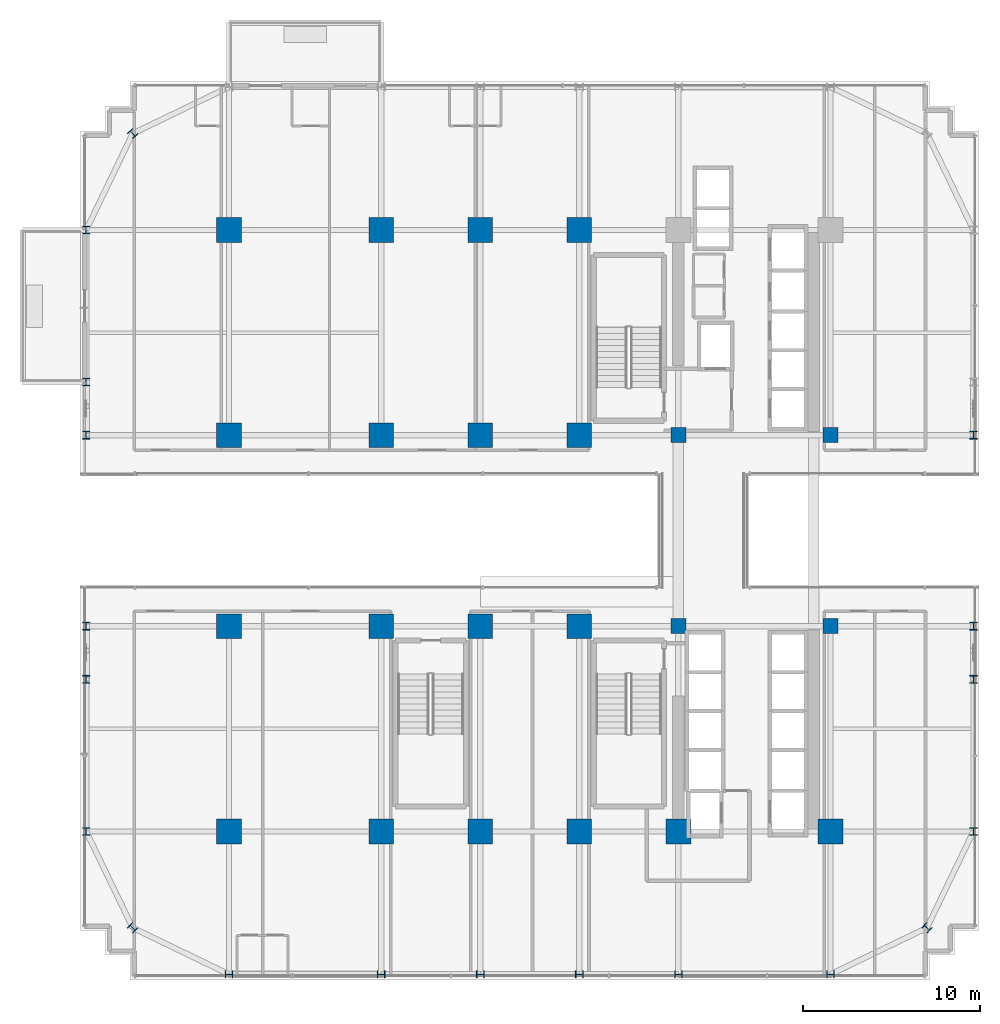
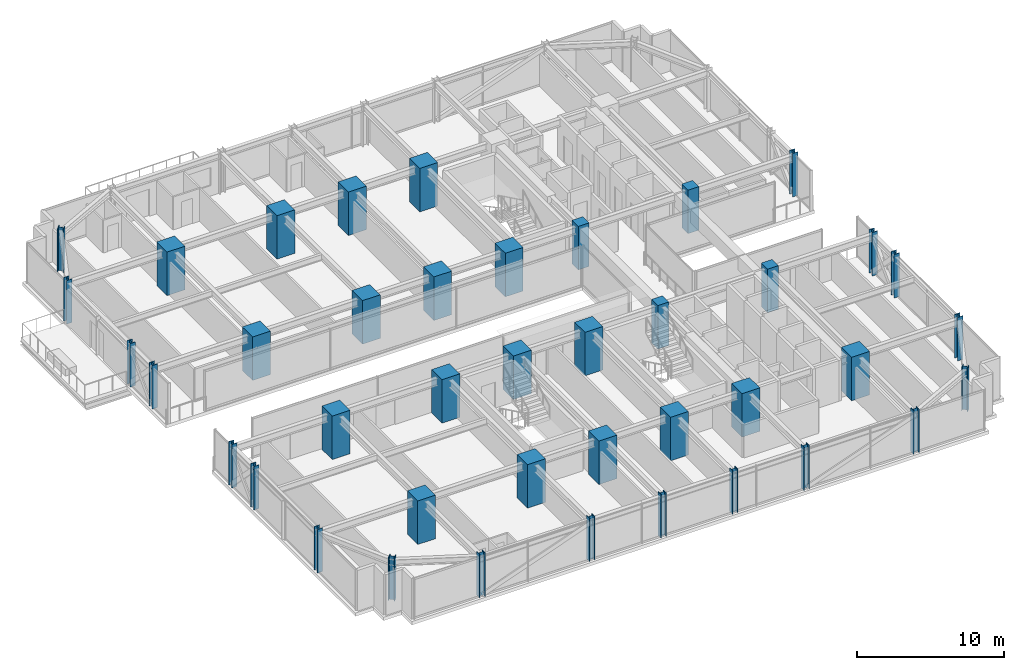
# One storey, part 1 of 42: 41 columns.
"""IFC4 building model written with IfcOpenShell, lengths in metres."""

from ifc_helpers import new_model, si_unit, direction, frame, origin, origin_2d, place, context, subcontext, project, spatial, rectangle, i_section, extrude, source, transform, mapped, material, material_profile, profile_set, type_object, element, save


model = new_model("IFC4")

# Units and contexts
model_context = context("Model", 3, precision=1e-05, world=origin(), true_north=direction((0.0, 1.0)))
body_context = subcontext(model_context, "Body", "Model", "MODEL_VIEW")
ifc_project = project(units=[si_unit("LENGTHUNIT", "METRE"), si_unit("AREAUNIT", "SQUARE_METRE"), si_unit("VOLUMEUNIT", "CUBIC_METRE"), si_unit("PLANEANGLEUNIT", "RADIAN"), si_unit("MASSUNIT", "GRAM", prefix="KILO")], contexts=[model_context])

# Site, building, storey
site_placement = place(None, origin())
site = spatial("IfcSite", under=ifc_project, at=site_placement, CompositionType="ELEMENT")
building_placement = place(site_placement, origin())
building = spatial("IfcBuilding", under=site, at=building_placement, Name="Nahalor Promenade Grand Hotel", CompositionType="ELEMENT")
storey_placement = place(building_placement, frame((0.0, 0.0, 61.60009765625)))
storey = spatial("IfcBuildingStorey", under=building, at=storey_placement, Name="L14", CompositionType="ELEMENT", Elevation=61.60009765625)

# Columns
ifc_material_1 = material(Name="Concrete B-70 (C60/75)", Category="concrete")
ifc_material_profile_1 = material_profile(ifc_material_1, rectangle(XDim=1.4, YDim=1.4, at=origin_2d()), Name="RC 1400x1400")
ifc_profile_set_1 = profile_set([ifc_material_profile_1], Name="Concrete B-70 (C60/75)")
column_type_1 = type_object("IfcColumnType", Name="Col-RC-1400", PredefinedType="COLUMN", material=ifc_profile_set_1)
shared_shape_1 = source(origin(), body_context, "Body", "SweptSolid", [
    extrude(rectangle(XDim=1.4, YDim=1.4, at=origin_2d()), origin(), (0.0, 0.0, 1.0), 3.60498046875),
])
for number, where, z_axis, x_axis, name in (
    (1, (-17.0, -17.0, 0.0), (0.0, 0.0, 1.0), (1.0, 0.0, 0.0), "COL-L14-I00"),
    (2, (-17.0, -5.39990234375, 0.0), (0.0, 0.0, 1.0), (1.0, 0.0, 0.0), "COL-L14-I01"),
    (3, (-17.0, 5.39990234375, 0.0), (0.0, 0.0, 1.0), (1.0, 0.0, 0.0), "COL-L14-I02"),
    (4, (-17.0, 17.0, 0.0), (0.0, 0.0, 1.0), (1.0, 0.0, 0.0), "COL-L14-I03"),
    (5, (-8.39990234375, -17.0, 0.0), (0.0, 0.0, 1.0), (1.0, 0.0, 0.0), "COL-L14-I10"),
    (6, (-8.39990234375, -5.39990234375, 0.0), (0.0, 0.0, 1.0), (1.0, 0.0, 0.0), "COL-L14-I11"),
    (7, (-8.39990234375, 5.39990234375, 0.0), (0.0, 0.0, 1.0), (1.0, 0.0, 0.0), "COL-L14-I12"),
    (8, (-8.39990234375, 17.0, 0.0), (0.0, 0.0, 1.0), (1.0, 0.0, 0.0), "COL-L14-I13"),
    (9, (-2.800048828125, -17.0, 0.0), (0.0, 0.0, 1.0), (1.0, 0.0, 0.0), "COL-L14-I20"),
    (10, (-2.800048828125, -5.39990234375, 0.0), (0.0, 0.0, 1.0), (1.0, 0.0, 0.0), "COL-L14-I21"),
    (11, (-2.800048828125, 5.39990234375, 0.0), (0.0, 0.0, 1.0), (1.0, 0.0, 0.0), "COL-L14-I22"),
    (12, (-2.800048828125, 17.0, 0.0), (0.0, 0.0, 1.0), (1.0, 0.0, 0.0), "COL-L14-I23"),
    (13, (2.800048828125, -17.0, 0.0), (0.0, 0.0, 1.0), (1.0, 0.0, 0.0), "COL-L14-I30"),
    (14, (2.800048828125, -5.39990234375, 0.0), (0.0, 0.0, 1.0), (1.0, 0.0, 0.0), "COL-L14-I31"),
    (15, (2.800048828125, 5.39990234375, 0.0), (0.0, 0.0, 1.0), (1.0, 0.0, 0.0), "COL-L14-I32"),
    (16, (2.800048828125, 17.0, 0.0), (0.0, 0.0, 1.0), (1.0, 0.0, 0.0), "COL-L14-I33"),
    (17, (8.39990234375, -17.0, 0.0), (0.0, 0.0, 1.0), (1.0, 0.0, 0.0), "COL-L14-I40"),
    (18, (17.0, -17.0, 0.0), (0.0, 0.0, 1.0), (1.0, 0.0, 0.0), "COL-L14-I50"),
):
    element("IfcColumn", number, at=place(storey_placement, frame(where, z_axis=z_axis, x_axis=x_axis)), inside=storey, type_object=column_type_1, Name=name, PredefinedType="COLUMN", context=body_context, shape_type="MappedRepresentation", body=[
        mapped(shared_shape_1, transform((0.0, 0.0, 0.0), scale=1.0)),
    ])
ifc_material_profile_2 = material_profile(ifc_material_1, rectangle(XDim=0.85, YDim=0.85, at=origin_2d()), Name="RC 850x850")
ifc_profile_set_2 = profile_set([ifc_material_profile_2], Name="Concrete B-70 (C60/75)")
column_type_2 = type_object("IfcColumnType", Name="Col-Pilaster-850", PredefinedType="PILASTER", material=ifc_profile_set_2)
shared_shape_2 = source(origin(), body_context, "Body", "SweptSolid", [
    extrude(rectangle(XDim=0.85, YDim=0.85, at=origin_2d()), origin(), (0.0, 0.0, 1.0), 3.60498046875),
])
for number, where, z_axis, x_axis, name in (
    (19, (8.39990234375, -5.39990234375, 0.0), (0.0, 0.0, 1.0), (1.0, 0.0, 0.0), "COL-L14-I41"),
    (20, (8.39990234375, 5.39990234375, 0.0), (0.0, 0.0, 1.0), (1.0, 0.0, 0.0), "COL-L14-I42"),
    (21, (17.0, -5.39990234375, 0.0), (0.0, 0.0, 1.0), (1.0, 0.0, 0.0), "COL-L14-I51"),
    (22, (17.0, 5.39990234375, 0.0), (0.0, 0.0, 1.0), (1.0, 0.0, 0.0), "COL-L14-I52"),
):
    element("IfcColumn", number, at=place(storey_placement, frame(where, z_axis=z_axis, x_axis=x_axis)), inside=storey, type_object=column_type_2, Name=name, PredefinedType="PILASTER", context=body_context, shape_type="MappedRepresentation", body=[
        mapped(shared_shape_2, transform((0.0, 0.0, 0.0), scale=1.0)),
    ])
ifc_material_2 = material(Name="Steel S355J2", Category="steel")
ifc_material_profile_3 = material_profile(ifc_material_2, i_section(OverallWidth=0.412, OverallDepth=0.438, WebThickness=0.0226, FlangeThickness=0.0365, at=origin_2d()), Name="HD 400x463")
ifc_profile_set_3 = profile_set([ifc_material_profile_3], Name="Steel S355J2")
column_type_3 = type_object("IfcColumnType", Name="Col-Steel-HD463", PredefinedType="COLUMN", material=ifc_profile_set_3)
shared_shape_3 = source(origin(), body_context, "Body", "SweptSolid", [
    extrude(i_section(OverallWidth=0.412, OverallDepth=0.438, WebThickness=0.0226, FlangeThickness=0.0365, at=origin_2d()), origin(), (0.0, 0.0, 1.0), 3.60498046875),
])
for number, where, z_axis, x_axis, name in (
    (23, (-25.080078125, -17.0, 0.0), (0.0, 0.0, 1.0), (1.0, 0.0, 0.0), "COL-L14-PW-W0"),
    (24, (25.080078125, -17.0, 0.0), (0.0, 0.0, 1.0), (1.0, 0.0, 0.0), "COL-L14-PW-E0"),
    (25, (-25.080078125, -8.39990234375, 0.0), (0.0, 0.0, 1.0), (1.0, 0.0, 0.0), "COL-L14-PW-W1"),
    (26, (25.080078125, -8.39990234375, 0.0), (0.0, 0.0, 1.0), (1.0, 0.0, 0.0), "COL-L14-PW-E1"),
    (27, (-25.080078125, -5.39990234375, 0.0), (0.0, 0.0, 1.0), (1.0, 0.0, 0.0), "COL-L14-PW-W2"),
    (28, (25.080078125, -5.39990234375, 0.0), (0.0, 0.0, 1.0), (1.0, 0.0, 0.0), "COL-L14-PW-E2"),
    (29, (-25.080078125, 5.39990234375, 0.0), (0.0, 0.0, 1.0), (1.0, 0.0, 0.0), "COL-L14-PW-W3"),
    (30, (25.080078125, 5.39990234375, 0.0), (0.0, 0.0, 1.0), (1.0, 0.0, 0.0), "COL-L14-PW-E3"),
    (31, (-25.080078125, 8.39990234375, 0.0), (0.0, 0.0, 1.0), (1.0, 0.0, 0.0), "COL-L14-PW-W4"),
    (32, (-25.080078125, 17.0, 0.0), (0.0, 0.0, 1.0), (1.0, 0.0, 0.0), "COL-L14-PW-W5"),
    (33, (-17.0, -25.080078125, 0.0), (0.0, 0.0, 1.0), (0.0, 1.0, 0.0), "COL-L14-PN-S0"),
    (34, (-8.39990234375, -25.080078125, 0.0), (0.0, 0.0, 1.0), (0.0, 1.0, 0.0), "COL-L14-PN-S1"),
    (35, (-2.800048828125, -25.080078125, 0.0), (0.0, 0.0, 1.0), (0.0, 1.0, 0.0), "COL-L14-PN-S2"),
    (36, (2.800048828125, -25.080078125, 0.0), (0.0, 0.0, 1.0), (0.0, 1.0, 0.0), "COL-L14-PN-S3"),
    (37, (8.39990234375, -25.080078125, 0.0), (0.0, 0.0, 1.0), (0.0, 1.0, 0.0), "COL-L14-PN-S4"),
    (38, (17.0, -25.080078125, 0.0), (0.0, 0.0, 1.0), (0.0, 1.0, 0.0), "COL-L14-PN-S5"),
    (39, (-22.449951171875, -22.449951171875, 0.0), (0.0, 0.0, 1.0), (0.707106781187, 0.707106781187, 0.0), "COL-L14-CRN-SW"),
    (40, (-22.449951171875, 22.449951171875, 0.0), (0.0, 0.0, 1.0), (0.707106781187, 0.707106781187, 0.0), "COL-L14-CRN-NW"),
    (41, (22.449951171875, -22.449951171875, 0.0), (0.0, 0.0, 1.0), (0.707106781187, 0.707106781187, 0.0), "COL-L14-CRN-SE"),
):
    element("IfcColumn", number, at=place(storey_placement, frame(where, z_axis=z_axis, x_axis=x_axis)), inside=storey, type_object=column_type_3, Name=name, PredefinedType="COLUMN", context=body_context, shape_type="MappedRepresentation", body=[
        mapped(shared_shape_3, transform((0.0, 0.0, 0.0), scale=1.0)),
    ])

save(model, "model.ifc")
